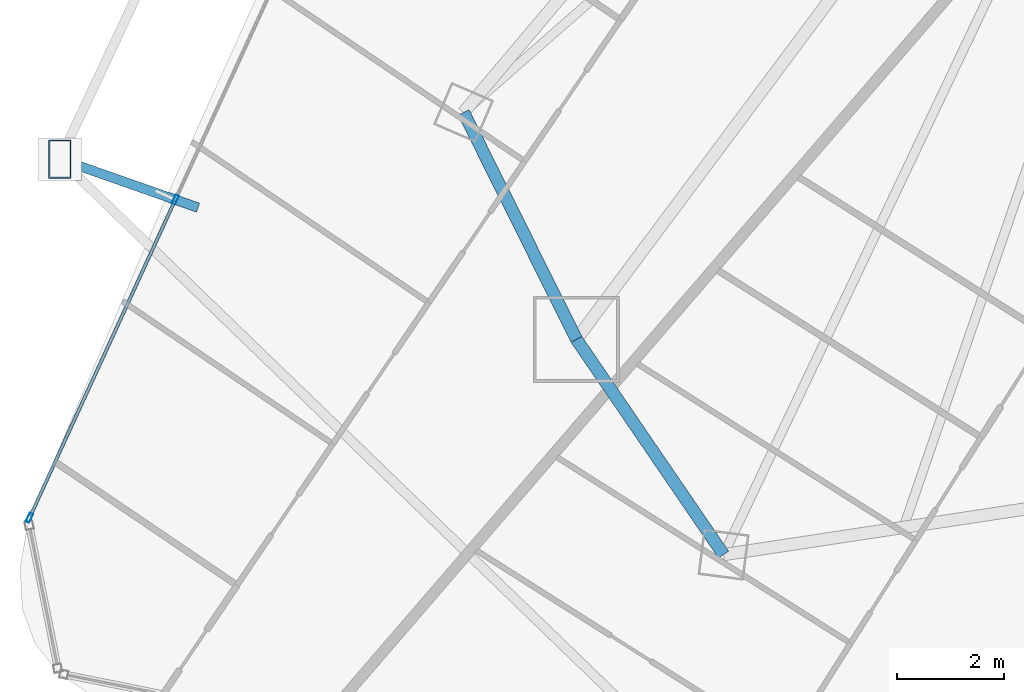
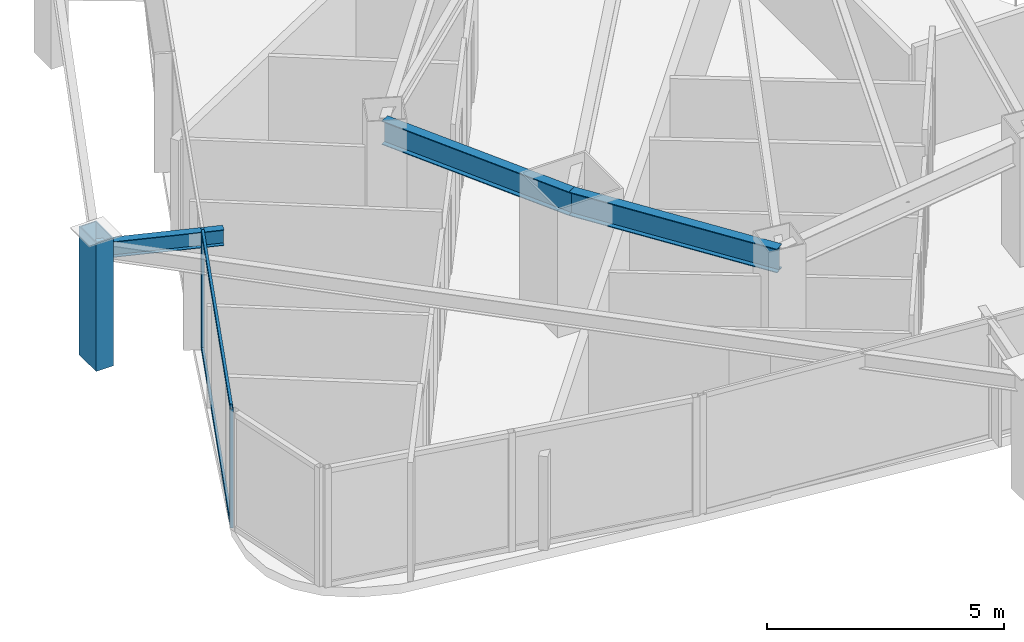
# One storey, part 5 of 35: 5 members, 3 beams, 1 element without a shape of its own.
"""IFC4 building model written with IfcOpenShell, lengths in metres."""

from ifc_helpers import new_model, si_unit, direction, frame, origin, origin_2d, place, context, subcontext, project, spatial, hollow_rectangle, i_section, extrude, material, layer, layer_set, material_profile, profile_set, type_object, element, aggregate, save


model = new_model("IFC4")

# Units and contexts
model_context = context("Model", 3, precision=1e-05, world=origin(), true_north=direction((0.0, 1.0)))
body_context = subcontext(model_context, "Body", "Model", "MODEL_VIEW")
ifc_project = project(units=[si_unit("LENGTHUNIT", "METRE"), si_unit("AREAUNIT", "SQUARE_METRE"), si_unit("VOLUMEUNIT", "CUBIC_METRE"), si_unit("PLANEANGLEUNIT", "RADIAN"), si_unit("MASSUNIT", "GRAM", prefix="KILO")], contexts=[model_context])

# Site, building, storey
site_placement = place(None, origin())
site = spatial("IfcSite", under=ifc_project, at=site_placement, CompositionType="ELEMENT")
building_placement = place(site_placement, origin())
building = spatial("IfcBuilding", under=site, at=building_placement, Name="Orvanel Arch Residences", CompositionType="ELEMENT")
storey_placement = place(building_placement, frame((0.0, 0.0, 30.199951171875)))
storey = spatial("IfcBuildingStorey", under=building, at=storey_placement, Name="L07", CompositionType="ELEMENT", Elevation=30.199951171875)

# Member
ifc_material_1 = material(Name="Structural steel AS/NZS 3678 Grade 350", Category="steel")
ifc_material_profile_1 = material_profile(ifc_material_1, hollow_rectangle(XDim=0.419921875, YDim=0.719970703125, WallThickness=0.02490234375, at=origin_2d()), Name="RHS720x420x25")
ifc_profile_set_1 = profile_set([ifc_material_profile_1], Name="Structural steel AS/NZS 3678 Grade 350")
member_type_1 = type_object("IfcMemberType", Name="CH-720RHS-EXT", PredefinedType="CHORD", material=ifc_profile_set_1)
member_1_placement = place(storey_placement, frame((4.572998046875, 13.7080078125, 0.0), z_axis=(0.0, 0.0, 1.0), x_axis=(1.0, 0.0, 0.0)))
element("IfcMember", 1, at=member_1_placement, inside=storey, type_object=member_type_1, Name="L07 Outer Perimeter Frame Post 04", PredefinedType="CHORD", context=body_context, shape_type="SweptSolid", body=[
    extrude(hollow_rectangle(XDim=0.419921875, YDim=0.719970703125, WallThickness=0.02490234375, at=origin_2d()), origin(), (0.0, 0.0, 1.0), 3.300048828125),
])

# Curtain wall, members
ifc_material_2 = material(Name="Bronze-anodised aluminium AA6063-T6", Category="aluminium")
ifc_layer = layer(ifc_material_2, 0.179931640625)
ifc_layer_set = layer_set([ifc_layer], Name="Bronze-anodised aluminium AA6063-T6")
curtain_wall_type = type_object("IfcCurtainWallType", Name="CW2-LOW-SYS", PredefinedType="NOTDEFINED", material=ifc_layer_set)
curtain_wall_placement = place(storey_placement, origin())
curtain_wall = element("IfcCurtainWall", 2, at=curtain_wall_placement, inside=storey, type_object=curtain_wall_type, Name="L07 CW2-LOW-SYS Unitised Curtain Wall", PredefinedType="NOTDEFINED")
ifc_material_profile_2 = material_profile(ifc_material_2, hollow_rectangle(XDim=0.070068359375, YDim=0.179931640625, WallThickness=0.00439453125, at=origin_2d()), Name="ALU180x70x4.5")
ifc_profile_set_2 = profile_set([ifc_material_profile_2], Name="Bronze-anodised aluminium AA6063-T6")
member_type_2 = type_object("IfcMemberType", Name="MUL-180x70", PredefinedType="MULLION", material=ifc_profile_set_2)
member_2_placement = place(storey_placement, frame((6.722900390625, 12.95166015625, 0.0), z_axis=(0.0, 0.0, 1.0), x_axis=(0.909015042916, -0.416763304229, 0.0)))
member_2 = element("IfcMember", 3, at=member_2_placement, type_object=member_type_2, Name="CW-S2 mullion 3", PredefinedType="MULLION", context=body_context, shape_type="SweptSolid", body=[
    extrude(hollow_rectangle(XDim=0.070068359375, YDim=0.179931640625, WallThickness=0.00439453125, at=origin_2d()), origin(), (0.0, 0.0, 1.0), 3.06005859375),
])
member_3_placement = place(storey_placement, frame((4.006591796875, 7.02685546875, 0.0), z_axis=(0.0, 0.0, 1.0), x_axis=(0.909015042916, -0.416763304229, 0.0)))
member_3 = element("IfcMember", 4, at=member_3_placement, type_object=member_type_2, Name="CW-S2 mullion 4", PredefinedType="MULLION", context=body_context, shape_type="SweptSolid", body=[
    extrude(hollow_rectangle(XDim=0.070068359375, YDim=0.179931640625, WallThickness=0.00439453125, at=origin_2d()), origin(), (0.0, 0.0, 1.0), 3.06005859375),
])

# Beams
ifc_material_3 = material(Name="Structural steel AS/NZS 3679.1 Grade 300 (300 MPa)", Category="steel")
ifc_material_profile_3 = material_profile(ifc_material_3, i_section(OverallWidth=0.177978515625, OverallDepth=0.406005859375, WebThickness=0.0078125, FlangeThickness=0.0126953125, at=origin_2d()), Name="410UB59.7")
ifc_profile_set_3 = profile_set([ifc_material_profile_3], Name="Structural steel AS/NZS 3679.1 Grade 300 (300 MPa)")
beam_type_1 = type_object("IfcBeamType", Name="OB-410UB-EXT", PredefinedType="SPANDREL", material=ifc_profile_set_3)
beam_1_placement = place(storey_placement, frame((7.14697265625, 12.804931640625, 2.85693359375), z_axis=(-0.943608321191, 0.331063945754, 0.0), x_axis=(-0.331063945754, -0.943608321191, 0.0)))
element("IfcBeam", 5, at=beam_1_placement, inside=storey, type_object=beam_type_1, Name="L07 Outer Frame Radial Tie Beam 04", PredefinedType="SPANDREL", context=body_context, shape_type="SweptSolid", body=[
    extrude(i_section(OverallWidth=0.177978515625, OverallDepth=0.406005859375, WebThickness=0.0078125, FlangeThickness=0.0126953125, at=origin_2d()), origin(), (0.0, 0.0, 1.0), 2.727783203125),
])
ifc_material_profile_4 = material_profile(ifc_material_3, i_section(OverallWidth=0.22900390625, OverallDepth=0.612060546875, WebThickness=0.011962890625, FlangeThickness=0.01953125, at=origin_2d()), Name="610UB125")
ifc_profile_set_4 = profile_set([ifc_material_profile_4], Name="Structural steel AS/NZS 3679.1 Grade 300 (300 MPa)")
beam_type_2 = type_object("IfcBeamType", Name="SP-610UB", PredefinedType="SPANDREL", material=ifc_profile_set_4)
beam_2_placement = place(storey_placement, frame((12.094970703125, 14.580078125, 2.754150390625), z_axis=(0.44543469453, -0.895314432425, 0.0), x_axis=(0.895314432425, 0.44543469453, 0.0)))
element("IfcBeam", 6, at=beam_2_placement, inside=storey, type_object=beam_type_2, Name="L07 Perimeter Spandrel Beam 02", PredefinedType="SPANDREL", context=body_context, shape_type="SweptSolid", body=[
    extrude(i_section(OverallWidth=0.22900390625, OverallDepth=0.612060546875, WebThickness=0.011962890625, FlangeThickness=0.01953125, at=origin_2d()), origin(), (0.0, 0.0, 1.0), 4.723388671875),
])
beam_3_placement = place(storey_placement, frame((14.198974609375, 10.35107421875, 2.754150390625), z_axis=(0.564251579852, -0.825602903722, 0.0), x_axis=(0.825602903722, 0.564251579852, 0.0)))
element("IfcBeam", 7, at=beam_3_placement, inside=storey, type_object=beam_type_2, Name="L07 Perimeter Spandrel Beam 03", PredefinedType="SPANDREL", context=body_context, shape_type="SweptSolid", body=[
    extrude(i_section(OverallWidth=0.22900390625, OverallDepth=0.612060546875, WebThickness=0.011962890625, FlangeThickness=0.01953125, at=origin_2d()), origin(), (0.0, 0.0, 1.0), 4.859375),
])

# Member
ifc_material_profile_5 = material_profile(ifc_material_2, hollow_rectangle(XDim=0.06005859375, YDim=0.135009765625, WallThickness=0.00390625, at=origin_2d()), Name="ALU135x60x4")
ifc_profile_set_5 = profile_set([ifc_material_profile_5], Name="Bronze-anodised aluminium AA6063-T6")
member_type_3 = type_object("IfcMemberType", Name="TRN-135x60", PredefinedType="USERDEFINED", material=ifc_profile_set_5)
member_4_placement = place(storey_placement, frame((6.70849609375, 12.919921875, 0.030029296875), z_axis=(-0.416759007792, -0.909017012725, 0.0), x_axis=(0.909017012725, -0.416759007792, 0.0)))
member_4 = element("IfcMember", 8, at=member_4_placement, type_object=member_type_3, Name="CW-S2 transom 3.1", ObjectType="TRANSOM", PredefinedType="USERDEFINED", context=body_context, shape_type="SweptSolid", body=[
    extrude(hollow_rectangle(XDim=0.06005859375, YDim=0.135009765625, WallThickness=0.00390625, at=origin_2d()), origin(), (0.0, 0.0, 1.0), 6.447998046875),
])

member_5_placement = place(storey_placement, frame((6.70849609375, 12.919921875, 3.030029296875), z_axis=(-0.416759007792, -0.909017012725, 0.0), x_axis=(0.909017012725, -0.416759007792, 0.0)))
member_5 = element("IfcMember", 9, at=member_5_placement, type_object=member_type_3, Name="CW-S2 transom 3.2", ObjectType="TRANSOM", PredefinedType="USERDEFINED", context=body_context, shape_type="SweptSolid", body=[
    extrude(hollow_rectangle(XDim=0.06005859375, YDim=0.135009765625, WallThickness=0.00390625, at=origin_2d()), origin(), (0.0, 0.0, 1.0), 6.447998046875),
])

aggregate(curtain_wall, [member_2, member_3, member_4, member_5])

save(model, "model.ifc")
